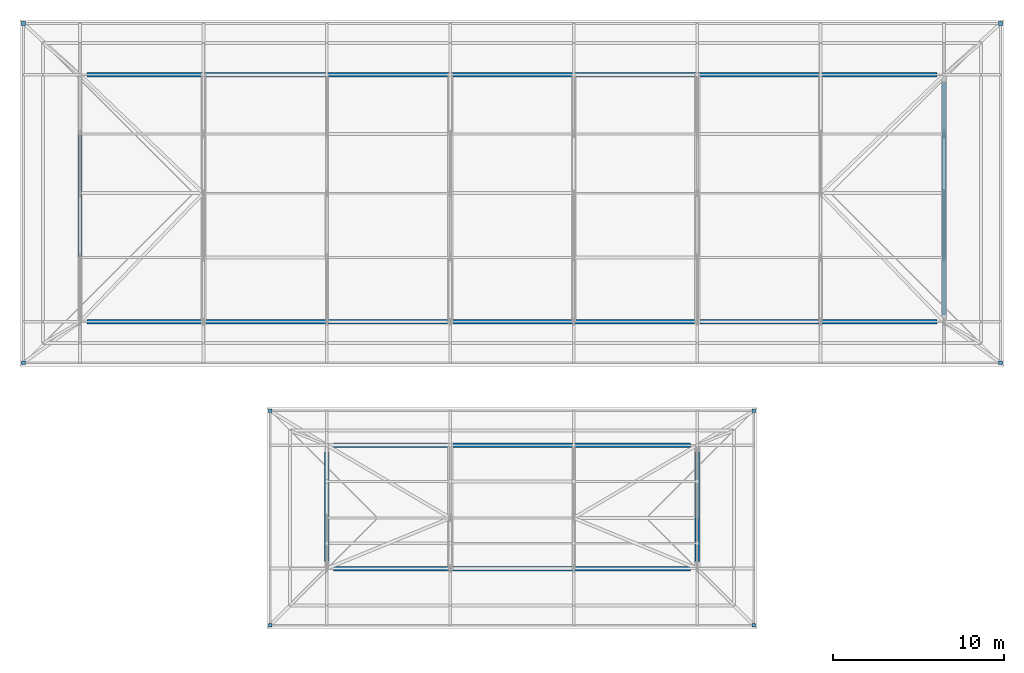
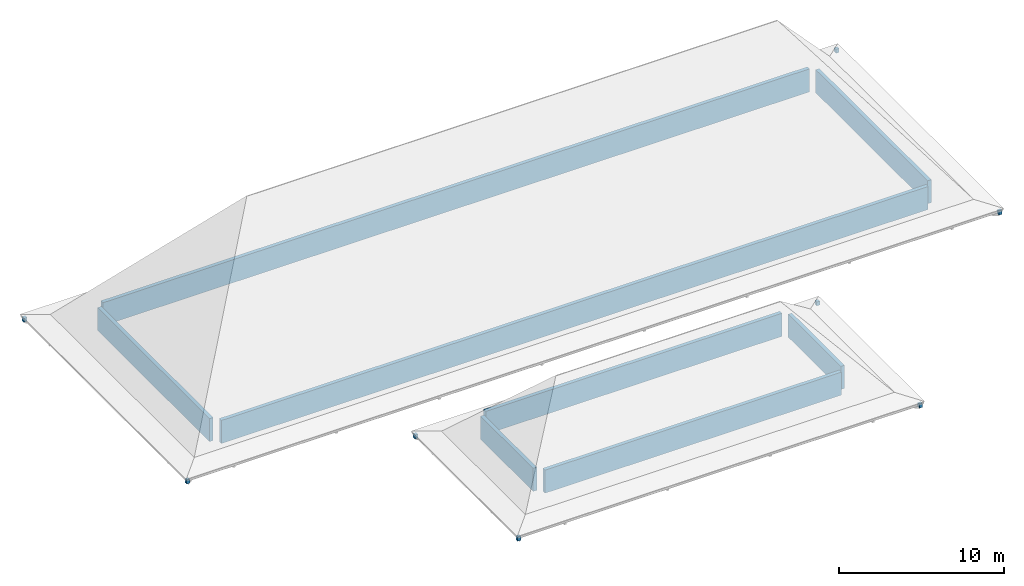
# One storey, part 11 of 12: 8 discrete accessories, 8 walls.
"""IFC4 building model written with IfcOpenShell, lengths in metres."""

from ifc_helpers import new_model, si_unit, direction, frame, frame_2d, origin, origin_2d, place, context, subcontext, project, spatial, rectangle, extrude, material, layer, layer_set, type_object, element, save


model = new_model("IFC4")

# Units and contexts
model_context = context("Model", 3, precision=1e-05, world=origin(), true_north=direction((0.0, 1.0)))
body_context = subcontext(model_context, "Body", "Model", "MODEL_VIEW")
ifc_project = project(units=[si_unit("LENGTHUNIT", "METRE"), si_unit("AREAUNIT", "SQUARE_METRE"), si_unit("VOLUMEUNIT", "CUBIC_METRE"), si_unit("PLANEANGLEUNIT", "RADIAN"), si_unit("MASSUNIT", "GRAM", prefix="KILO")], contexts=[model_context])

# Site, building, storey
site_placement = place(None, origin())
site = spatial("IfcSite", under=ifc_project, at=site_placement, CompositionType="ELEMENT")
building_placement = place(site_placement, origin())
building = spatial("IfcBuilding", under=site, at=building_placement, Name="Steenspoor Specialist Clinic", CompositionType="ELEMENT")
storey_placement = place(building_placement, frame((0.0, 0.0, 25.800048828125)))
storey = spatial("IfcBuildingStorey", under=building, at=storey_placement, Name="RF", CompositionType="ELEMENT", Elevation=25.800048828125)

# Walls
ifc_material_1 = material(Name="Extruded clay brick masonry", Category="masonry")
ifc_layer = layer(ifc_material_1, 0.260009765625)
ifc_layer_set = layer_set([ifc_layer], Name="Extruded clay brick masonry")
wall_type = type_object("IfcWallType", Name="W-SCREEN-260", PredefinedType="SOLIDWALL", material=ifc_layer_set)
wall_1_placement = place(storey_placement, frame((109.60009765625, 93.949951171875, -0.16015625), z_axis=(0.0, 0.0, 1.0), x_axis=(-1.0, 0.0, 0.0)))
element("IfcWall", 1, at=wall_1_placement, inside=storey, type_object=wall_type, Name="Attic Crown Screen Wall V4 S", PredefinedType="SOLIDWALL", context=body_context, shape_type="SweptSolid", body=[
    extrude(rectangle(XDim=49.60009765625, YDim=0.260009765625, at=frame_2d((24.800048828125, 0.0))), origin(), (0.0, 0.0, 1.0), 1.710205078125),
])
wall_2_placement = place(storey_placement, frame((59.60009765625, 94.35009765625, -0.16015625), z_axis=(0.0, 0.0, 1.0), x_axis=(0.0, 1.0, 0.0)))
element("IfcWall", 2, at=wall_2_placement, inside=storey, type_object=wall_type, Name="Attic Crown Screen Wall V4 W", PredefinedType="SOLIDWALL", context=body_context, shape_type="SweptSolid", body=[
    extrude(rectangle(XDim=13.599853515625, YDim=0.260009765625, at=frame_2d((6.7998046875, 0.0))), origin(), (0.0, 0.0, 1.0), 1.710205078125),
])
wall_3_placement = place(storey_placement, frame((60.0, 108.35009765625, -0.16015625), z_axis=(0.0, 0.0, 1.0), x_axis=(1.0, 0.0, 0.0)))
element("IfcWall", 3, at=wall_3_placement, inside=storey, type_object=wall_type, Name="Attic Crown Screen Wall V4 N", PredefinedType="SOLIDWALL", context=body_context, shape_type="SweptSolid", body=[
    extrude(rectangle(XDim=49.60009765625, YDim=0.260009765625, at=frame_2d((24.800048828125, 0.0))), origin(), (0.0, 0.0, 1.0), 1.710205078125),
])
wall_4_placement = place(storey_placement, frame((110.0, 107.949951171875, -0.16015625), z_axis=(0.0, 0.0, 1.0), x_axis=(0.0, -1.0, 0.0)))
element("IfcWall", 4, at=wall_4_placement, inside=storey, type_object=wall_type, Name="Attic Crown Screen Wall V4 E", PredefinedType="SOLIDWALL", context=body_context, shape_type="SweptSolid", body=[
    extrude(rectangle(XDim=13.599853515625, YDim=0.260009765625, at=frame_2d((6.7998046875, 0.0))), origin(), (0.0, 0.0, 1.0), 1.710205078125),
])
wall_5_placement = place(storey_placement, frame((95.199951171875, 79.550048828125, -0.16015625), z_axis=(0.0, 0.0, 1.0), x_axis=(-1.0, 0.0, 0.0)))
element("IfcWall", 5, at=wall_5_placement, inside=storey, type_object=wall_type, Name="Attic Crown Screen Wall V4S S", PredefinedType="SOLIDWALL", context=body_context, shape_type="SweptSolid", body=[
    extrude(rectangle(XDim=20.800048828125, YDim=0.260009765625, at=frame_2d((10.39990234375, 0.0))), origin(), (0.0, 0.0, 1.0), 1.710205078125),
])
wall_6_placement = place(storey_placement, frame((74.0, 79.949951171875, -0.16015625), z_axis=(0.0, 0.0, 1.0), x_axis=(0.0, 1.0, 0.0)))
element("IfcWall", 6, at=wall_6_placement, inside=storey, type_object=wall_type, Name="Attic Crown Screen Wall V4S W", PredefinedType="SOLIDWALL", context=body_context, shape_type="SweptSolid", body=[
    extrude(rectangle(XDim=6.400146484375, YDim=0.260009765625, at=frame_2d((3.2001953125, 0.0))), origin(), (0.0, 0.0, 1.0), 1.710205078125),
])
wall_7_placement = place(storey_placement, frame((74.39990234375, 86.75, -0.16015625), z_axis=(0.0, 0.0, 1.0), x_axis=(1.0, 0.0, 0.0)))
element("IfcWall", 7, at=wall_7_placement, inside=storey, type_object=wall_type, Name="Attic Crown Screen Wall V4S N", PredefinedType="SOLIDWALL", context=body_context, shape_type="SweptSolid", body=[
    extrude(rectangle(XDim=20.800048828125, YDim=0.260009765625, at=frame_2d((10.39990234375, 0.0))), origin(), (0.0, 0.0, 1.0), 1.710205078125),
])
wall_8_placement = place(storey_placement, frame((95.60009765625, 86.35009765625, -0.16015625), z_axis=(0.0, 0.0, 1.0), x_axis=(0.0, -1.0, 0.0)))
element("IfcWall", 8, at=wall_8_placement, inside=storey, type_object=wall_type, Name="Attic Crown Screen Wall V4S E", PredefinedType="SOLIDWALL", context=body_context, shape_type="SweptSolid", body=[
    extrude(rectangle(XDim=6.400146484375, YDim=0.260009765625, at=frame_2d((3.2001953125, 0.0))), origin(), (0.0, 0.0, 1.0), 1.710205078125),
])

# Discrete accessories
ifc_material_2 = material(Name="Galvanised steel mounting bracket", Category="steel")
discrete_accessory_type = type_object("IfcDiscreteAccessoryType", Name="ACC-BRACKET-FIN", PredefinedType="BRACKET", material=ifc_material_2)
for number, where, z_axis, x_axis, name in (
    (9, (56.300048828125, 91.550048828125, -0.39794921875), (0.0, 0.0, 1.0), (1.0, 0.0, 0.0), "Eave Corner Hip Bracket 219"),
    (10, (56.300048828125, 111.35009765625, -0.39794921875), (0.0, 0.0, 1.0), (1.0, 0.0, 0.0), "Eave Corner Hip Bracket 221"),
    (11, (113.300048828125, 91.550048828125, -0.39794921875), (0.0, 0.0, 1.0), (1.0, 0.0, 0.0), "Eave Corner Hip Bracket 223"),
    (12, (113.300048828125, 111.35009765625, -0.39794921875), (0.0, 0.0, 1.0), (1.0, 0.0, 0.0), "Eave Corner Hip Bracket 225"),
    (13, (70.699951171875, 76.25, -0.39794921875), (0.0, 0.0, 1.0), (1.0, 0.0, 0.0), "Eave Corner Hip Bracket 251"),
    (14, (70.699951171875, 88.75, -0.39794921875), (0.0, 0.0, 1.0), (1.0, 0.0, 0.0), "Eave Corner Hip Bracket 253"),
    (15, (98.89990234375, 76.25, -0.39794921875), (0.0, 0.0, 1.0), (1.0, 0.0, 0.0), "Eave Corner Hip Bracket 255"),
    (16, (98.89990234375, 88.75, -0.39794921875), (0.0, 0.0, 1.0), (1.0, 0.0, 0.0), "Eave Corner Hip Bracket 257"),
):
    element("IfcDiscreteAccessory", number, at=place(storey_placement, frame(where, z_axis=z_axis, x_axis=x_axis)), inside=storey, type_object=discrete_accessory_type, Name=name, PredefinedType="BRACKET", context=body_context, shape_type="SweptSolid", body=[
        extrude(rectangle(XDim=0.219970703125, YDim=0.219970703125, at=origin_2d()), origin(), (0.0, 0.0, 1.0), 0.293212890625),
    ])

save(model, "model.ifc")
